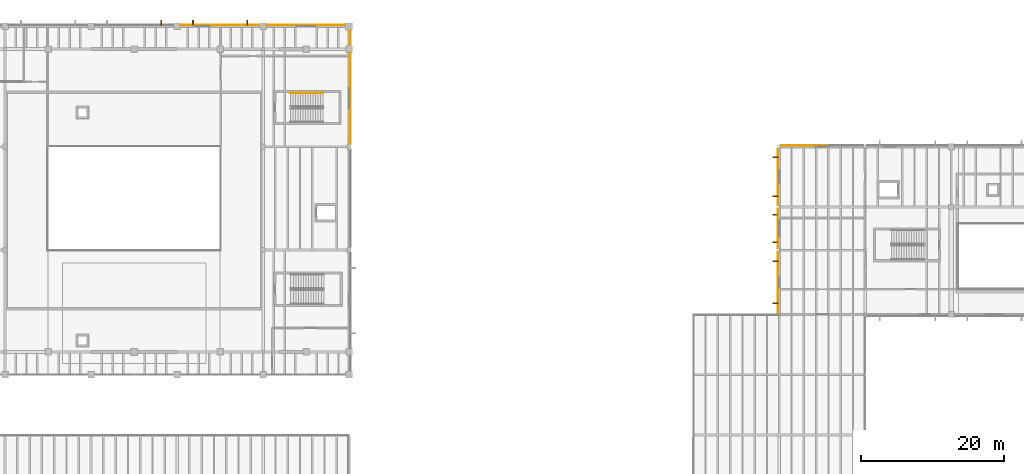
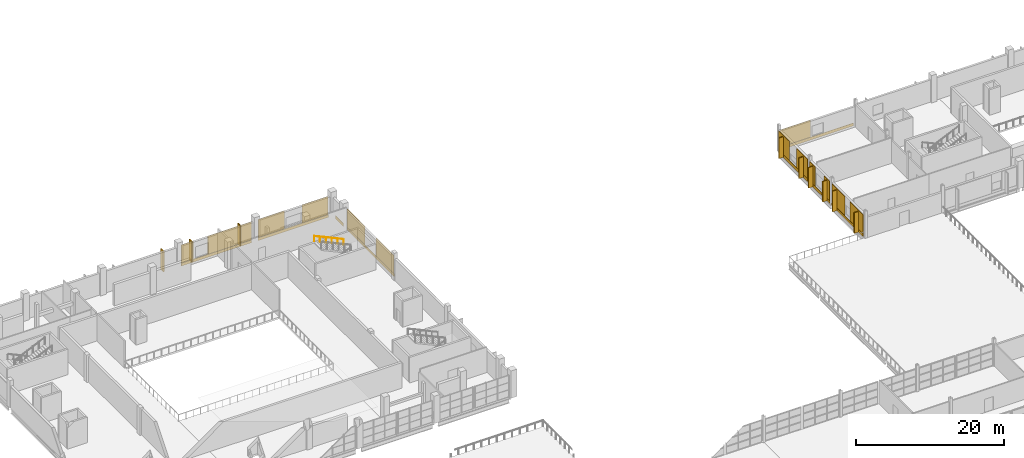
# One storey, part 73 of 78: 30 coverings, 9 shading devices, 1 railing.
"""IFC4 building model written with IfcOpenShell, lengths in metres."""

from ifc_helpers import new_model, si_unit, direction, frame, origin, origin_2d, place, context, subcontext, project, spatial, rectangle, circle, extrude, material, layer, layer_set, type_object, element, save


model = new_model("IFC4")

# Units and contexts
model_context = context("Model", 3, precision=1e-05, world=origin(), true_north=direction((0.0, 1.0)))
body_context = subcontext(model_context, "Body", "Model", "MODEL_VIEW")
ifc_project = project(units=[si_unit("LENGTHUNIT", "METRE"), si_unit("AREAUNIT", "SQUARE_METRE"), si_unit("VOLUMEUNIT", "CUBIC_METRE"), si_unit("PLANEANGLEUNIT", "RADIAN"), si_unit("MASSUNIT", "GRAM", prefix="KILO")], contexts=[model_context])

# Site, building, storey
site_placement = place(None, origin())
site = spatial("IfcSite", under=ifc_project, at=site_placement, CompositionType="ELEMENT")
building_placement = place(site_placement, origin())
building = spatial("IfcBuilding", under=site, at=building_placement, Name="Kelmvaro Bay Concert Hall", CompositionType="ELEMENT")
storey_placement = place(building_placement, frame((0.0, 0.0, 9.300048828125)))
storey = spatial("IfcBuildingStorey", under=building, at=storey_placement, Name="L02", CompositionType="ELEMENT", Elevation=9.300048828125)

# Shading devices
ifc_material_1 = material(Name="Anodised Extruded Aluminium 6063-T6", Category="aluminium")
ifc_layer_1 = layer(ifc_material_1, 3.39990234375)
ifc_layer_set_1 = layer_set([ifc_layer_1], Name="Anodised Extruded Aluminium 6063-T6")
shading_device_type = type_object("IfcShadingDeviceType", Name="Bauhaus Vertical Solar Brise-Soleil Fin 720x3400", PredefinedType="SHUTTER", material=ifc_layer_set_1)
for number, where, z_axis, x_axis, name in (
    (1, (33.77392578125, 114.52587890625, 0.06005859375), (0.0, 0.0, 1.0), (1.0, 0.0, 0.0), "L02 Solar Brise-Soleil Fin 016"),
    (2, (38.22607421875, 114.52587890625, 0.06005859375), (0.0, 0.0, 1.0), (1.0, 0.0, 0.0), "L02 Solar Brise-Soleil Fin 017"),
    (3, (45.77392578125, 114.52587890625, 0.06005859375), (0.0, 0.0, 1.0), (1.0, 0.0, 0.0), "L02 Solar Brise-Soleil Fin 018"),
    (4, (119.48388671875, 75.376220703125, 0.06005859375), (0.0, 0.0, 1.0), (0.0, 1.0, 0.0), "L02 Solar Brise-Soleil Fin 077"),
    (5, (119.48388671875, 81.226318359375, 0.06005859375), (0.0, 0.0, 1.0), (0.0, 1.0, 0.0), "L02 Solar Brise-Soleil Fin 078"),
    (6, (119.48388671875, 83.89404296875, 0.06005859375), (0.0, 0.0, 1.0), (0.0, 1.0, 0.0), "L02 Solar Brise-Soleil Fin 081"),
    (7, (119.48388671875, 87.7060546875, 0.06005859375), (0.0, 0.0, 1.0), (0.0, 1.0, 0.0), "L02 Solar Brise-Soleil Fin 082"),
    (8, (119.48388671875, 90.277587890625, 0.06005859375), (0.0, 0.0, 1.0), (0.0, 1.0, 0.0), "L02 Solar Brise-Soleil Fin 085"),
    (9, (119.48388671875, 95.719970703125, 0.06005859375), (0.0, 0.0, 1.0), (0.0, 1.0, 0.0), "L02 Solar Brise-Soleil Fin 086"),
):
    element("IfcShadingDevice", number, at=place(storey_placement, frame(where, z_axis=z_axis, x_axis=x_axis)), inside=storey, type_object=shading_device_type, Name=name, PredefinedType="SHUTTER", context=body_context, shape_type="SweptSolid", body=[
        extrude(rectangle(XDim=0.159912109375, YDim=0.719970703125, at=origin_2d()), origin(), (0.0, 0.0, 1.0), 3.39990234375),
    ])

# Coverings
ifc_material_2 = material(Name="PVDF-Coated Architectural Aluminium", Category="aluminium")
ifc_layer_2 = layer(ifc_material_2, 0.0400390625)
ifc_layer_set_2 = layer_set([ifc_layer_2], Name="PVDF-Coated Architectural Aluminium")
covering_type_1 = type_object("IfcCoveringType", Name="De Stijl Enamelled Aluminium Fascia Panel 40", PredefinedType="CLADDING", material=ifc_layer_set_2)
for number, where, z_axis, x_axis, name in (
    (10, (33.77392578125, 114.52587890625, 0.06005859375), (0.0, 0.0, 1.0), (1.0, 0.0, 0.0), "L02 Architectural Vertical Fin Cladding 0074"),
    (11, (38.22607421875, 114.52587890625, 0.06005859375), (0.0, 0.0, 1.0), (1.0, 0.0, 0.0), "L02 Architectural Vertical Fin Cladding 0076"),
    (12, (45.77392578125, 114.52587890625, 0.06005859375), (0.0, 0.0, 1.0), (1.0, 0.0, 0.0), "L02 Architectural Vertical Fin Cladding 0077"),
    (13, (119.48388671875, 75.376220703125, 0.06005859375), (0.0, 0.0, 1.0), (0.0, 1.0, 0.0), "L02 Architectural Vertical Fin Cladding 0397"),
    (14, (119.48388671875, 81.226318359375, 0.06005859375), (0.0, 0.0, 1.0), (0.0, 1.0, 0.0), "L02 Architectural Vertical Fin Cladding 0398"),
    (15, (119.48388671875, 83.89404296875, 0.06005859375), (0.0, 0.0, 1.0), (0.0, 1.0, 0.0), "L02 Architectural Vertical Fin Cladding 0407"),
    (16, (119.48388671875, 87.7060546875, 0.06005859375), (0.0, 0.0, 1.0), (0.0, 1.0, 0.0), "L02 Architectural Vertical Fin Cladding 0408"),
    (17, (119.48388671875, 90.277587890625, 0.06005859375), (0.0, 0.0, 1.0), (0.0, 1.0, 0.0), "L02 Architectural Vertical Fin Cladding 0417"),
    (18, (119.48388671875, 95.719970703125, 0.06005859375), (0.0, 0.0, 1.0), (0.0, 1.0, 0.0), "L02 Architectural Vertical Fin Cladding 0418"),
):
    element("IfcCovering", number, at=place(storey_placement, frame(where, z_axis=z_axis, x_axis=x_axis)), inside=storey, type_object=covering_type_1, Name=name, PredefinedType="CLADDING", context=body_context, shape_type="SweptSolid", body=[
        extrude(rectangle(XDim=0.139892578125, YDim=0.699951171875, at=origin_2d()), origin(), (0.0, 0.0, 1.0), 3.39990234375),
    ])
ifc_material_3 = material(Name="Honed Florida Limestone Travertine", Category="masonry")
ifc_layer_3 = layer(ifc_material_3, 0.054931640625)
ifc_layer_set_3 = layer_set([ifc_layer_3], Name="Honed Florida Limestone Travertine")
covering_type_2 = type_object("IfcCoveringType", Name="Honed Florida Travertine Rainscreen Cladding 55", PredefinedType="CLADDING", material=ifc_layer_set_3)
covering_1_placement = place(storey_placement, frame((42.0, 114.195556640625, 0.0400390625), z_axis=(0.0, 0.0, 1.0), x_axis=(1.0, 0.0, 0.0)))
element("IfcCovering", 19, at=covering_1_placement, inside=storey, type_object=covering_type_2, Name="L02 Travertine Sill Band 0075", PredefinedType="CLADDING", context=body_context, shape_type="SweptSolid", body=[
    extrude(rectangle(XDim=10.97998046875, YDim=0.054931640625, at=origin_2d()), origin(), (0.0, 0.0, 1.0), 0.4599609375),
])
covering_2_placement = place(storey_placement, frame((37.493896484375, 114.195556640625, 0.52001953125), z_axis=(0.0, 0.0, 1.0), x_axis=(1.0, 0.0, 0.0)))
element("IfcCovering", 20, at=covering_2_placement, inside=storey, type_object=covering_type_2, Name="L02 Travertine Pier Panel 0078", PredefinedType="CLADDING", context=body_context, shape_type="SweptSolid", body=[
    extrude(rectangle(XDim=1.927978515625, YDim=0.054931640625, at=origin_2d()), origin(), (0.0, 0.0, 1.0), 2.989013671875),
])
covering_3_placement = place(storey_placement, frame((44.06396484375, 114.195556640625, 0.52001953125), z_axis=(0.0, 0.0, 1.0), x_axis=(1.0, 0.0, 0.0)))
element("IfcCovering", 21, at=covering_3_placement, inside=storey, type_object=covering_type_2, Name="L02 Travertine Pier Panel 0079", PredefinedType="CLADDING", context=body_context, shape_type="SweptSolid", body=[
    extrude(rectangle(XDim=6.81201171875, YDim=0.054931640625, at=origin_2d()), origin(), (0.0, 0.0, 1.0), 2.989013671875),
])
covering_4_placement = place(storey_placement, frame((53.987548828125, 114.195556640625, 0.0400390625), z_axis=(0.0, 0.0, 1.0), x_axis=(1.0, 0.0, 0.0)))
element("IfcCovering", 22, at=covering_4_placement, inside=storey, type_object=covering_type_2, Name="L02 Travertine Sill Band 0080", PredefinedType="CLADDING", context=body_context, shape_type="SweptSolid", body=[
    extrude(rectangle(XDim=10.955078125, YDim=0.054931640625, at=origin_2d()), origin(), (0.0, 0.0, 1.0), 0.4599609375),
])
covering_5_placement = place(storey_placement, frame((50.558837890625, 114.195556640625, 0.52001953125), z_axis=(0.0, 0.0, 1.0), x_axis=(1.0, 0.0, 0.0)))
element("IfcCovering", 23, at=covering_5_placement, inside=storey, type_object=covering_type_2, Name="L02 Travertine Pier Panel 0081", PredefinedType="CLADDING", context=body_context, shape_type="SweptSolid", body=[
    extrude(rectangle(XDim=4.05810546875, YDim=0.054931640625, at=origin_2d()), origin(), (0.0, 0.0, 1.0), 2.989013671875),
])
covering_6_placement = place(storey_placement, frame((57.416259765625, 114.195556640625, 0.52001953125), z_axis=(0.0, 0.0, 1.0), x_axis=(1.0, 0.0, 0.0)))
element("IfcCovering", 24, at=covering_6_placement, inside=storey, type_object=covering_type_2, Name="L02 Travertine Pier Panel 0082", PredefinedType="CLADDING", context=body_context, shape_type="SweptSolid", body=[
    extrude(rectangle(XDim=4.056884765625, YDim=0.054931640625, at=origin_2d()), origin(), (0.0, 0.0, 1.0), 2.989013671875),
])
covering_7_placement = place(storey_placement, frame((60.195556640625, 112.3974609375, 0.0400390625), z_axis=(0.0, 0.0, 1.0), x_axis=(0.0, -1.0, 0.0)))
element("IfcCovering", 25, at=covering_7_placement, inside=storey, type_object=covering_type_2, Name="L02 Travertine Sill Band 0103", PredefinedType="CLADDING", context=body_context, shape_type="SweptSolid", body=[
    extrude(rectangle(XDim=2.135009765625, YDim=0.054931640625, at=origin_2d()), origin(), (0.0, 0.0, 1.0), 0.4599609375),
])
covering_8_placement = place(storey_placement, frame((60.195556640625, 103.972412109375, 0.0400390625), z_axis=(0.0, 0.0, 1.0), x_axis=(0.0, -1.0, 0.0)))
element("IfcCovering", 26, at=covering_8_placement, inside=storey, type_object=covering_type_2, Name="L02 Travertine Sill Band 0104", PredefinedType="CLADDING", context=body_context, shape_type="SweptSolid", body=[
    extrude(rectangle(XDim=12.675048828125, YDim=0.054931640625, at=origin_2d()), origin(), (0.0, 0.0, 1.0), 0.4599609375),
])
for number, where, z_axis, x_axis, name in (
    (27, (60.195556640625, 107.893798828125, 0.52001953125), (0.0, 0.0, 1.0), (0.0, -1.0, 0.0), "L02 Travertine Pier Panel 0105"),
    (28, (60.195556640625, 100.05126953125, 0.52001953125), (0.0, 0.0, 1.0), (0.0, -1.0, 0.0), "L02 Travertine Pier Panel 0106"),
):
    element("IfcCovering", number, at=place(storey_placement, frame(where, z_axis=z_axis, x_axis=x_axis)), inside=storey, type_object=covering_type_2, Name=name, PredefinedType="CLADDING", context=body_context, shape_type="SweptSolid", body=[
        extrude(rectangle(XDim=4.79296875, YDim=0.054931640625, at=origin_2d()), origin(), (0.0, 0.0, 1.0), 2.989013671875),
    ])
covering_9_placement = place(storey_placement, frame((126.0, 97.385498046875, 0.0400390625), z_axis=(0.0, 0.0, 1.0), x_axis=(1.0, 0.0, 0.0)))
element("IfcCovering", 29, at=covering_9_placement, inside=storey, type_object=covering_type_2, Name="L02 Travertine Sill Band 0380", PredefinedType="CLADDING", context=body_context, shape_type="SweptSolid", body=[
    extrude(rectangle(XDim=11.47900390625, YDim=0.054931640625, at=origin_2d()), origin(), (0.0, 0.0, 1.0), 0.4599609375),
])
covering_10_placement = place(storey_placement, frame((122.640380859375, 97.385498046875, 0.52001953125), z_axis=(0.0, 0.0, 1.0), x_axis=(1.0, 0.0, 0.0)))
element("IfcCovering", 30, at=covering_10_placement, inside=storey, type_object=covering_type_2, Name="L02 Travertine Pier Panel 0381", PredefinedType="CLADDING", context=body_context, shape_type="SweptSolid", body=[
    extrude(rectangle(XDim=4.719970703125, YDim=0.054931640625, at=origin_2d()), origin(), (0.0, 0.0, 1.0), 2.80810546875),
])
covering_11_placement = place(storey_placement, frame((119.814453125, 78.30126953125, 0.0400390625), z_axis=(0.0, 0.0, 1.0), x_axis=(0.0, 1.0, 0.0)))
element("IfcCovering", 31, at=covering_11_placement, inside=storey, type_object=covering_type_2, Name="L02 Travertine Sill Band 0396", PredefinedType="CLADDING", context=body_context, shape_type="SweptSolid", body=[
    extrude(rectangle(XDim=8.48388671875, YDim=0.054931640625, at=origin_2d()), origin(), (0.0, 0.0, 1.0), 0.4599609375),
])
for number, where, z_axis, x_axis, name in (
    (32, (119.814453125, 75.84033203125, 0.52001953125), (0.0, 0.0, 1.0), (0.0, 1.0, 0.0), "L02 Travertine Pier Panel 0399"),
    (33, (119.814453125, 80.76220703125, 0.52001953125), (0.0, 0.0, 1.0), (0.0, 1.0, 0.0), "L02 Travertine Pier Panel 0400"),
):
    element("IfcCovering", number, at=place(storey_placement, frame(where, z_axis=z_axis, x_axis=x_axis)), inside=storey, type_object=covering_type_2, Name=name, PredefinedType="CLADDING", context=body_context, shape_type="SweptSolid", body=[
        extrude(rectangle(XDim=3.52197265625, YDim=0.054931640625, at=origin_2d()), origin(), (0.0, 0.0, 1.0), 3.18408203125),
    ])
covering_12_placement = place(storey_placement, frame((119.814453125, 85.800048828125, 0.0400390625), z_axis=(0.0, 0.0, 1.0), x_axis=(0.0, 1.0, 0.0)))
element("IfcCovering", 34, at=covering_12_placement, inside=storey, type_object=covering_type_2, Name="L02 Travertine Sill Band 0406", PredefinedType="CLADDING", context=body_context, shape_type="SweptSolid", body=[
    extrude(rectangle(XDim=5.486083984375, YDim=0.054931640625, at=origin_2d()), origin(), (0.0, 0.0, 1.0), 0.4599609375),
])
for number, where, z_axis, x_axis, name in (
    (35, (119.814453125, 83.825927734375, 0.52001953125), (0.0, 0.0, 1.0), (0.0, 1.0, 0.0), "L02 Travertine Pier Panel 0409"),
    (36, (119.814453125, 87.77392578125, 0.52001953125), (0.0, 0.0, 1.0), (0.0, 1.0, 0.0), "L02 Travertine Pier Panel 0410"),
):
    element("IfcCovering", number, at=place(storey_placement, frame(where, z_axis=z_axis, x_axis=x_axis)), inside=storey, type_object=covering_type_2, Name=name, PredefinedType="CLADDING", context=body_context, shape_type="SweptSolid", body=[
        extrude(rectangle(XDim=1.498046875, YDim=0.054931640625, at=origin_2d()), origin(), (0.0, 0.0, 1.0), 3.18408203125),
    ])
covering_13_placement = place(storey_placement, frame((119.814453125, 92.998779296875, 0.0400390625), z_axis=(0.0, 0.0, 1.0), x_axis=(0.0, 1.0, 0.0)))
element("IfcCovering", 37, at=covering_13_placement, inside=storey, type_object=covering_type_2, Name="L02 Travertine Sill Band 0416", PredefinedType="CLADDING", context=body_context, shape_type="SweptSolid", body=[
    extrude(rectangle(XDim=7.884033203125, YDim=0.054931640625, at=origin_2d()), origin(), (0.0, 0.0, 1.0), 0.4599609375),
])
for number, where, z_axis, x_axis, name in (
    (38, (119.814453125, 90.537841796875, 0.52001953125), (0.0, 0.0, 1.0), (0.0, 1.0, 0.0), "L02 Travertine Pier Panel 0419"),
    (39, (119.814453125, 95.459716796875, 0.52001953125), (0.0, 0.0, 1.0), (0.0, 1.0, 0.0), "L02 Travertine Pier Panel 0420"),
):
    element("IfcCovering", number, at=place(storey_placement, frame(where, z_axis=z_axis, x_axis=x_axis)), inside=storey, type_object=covering_type_2, Name=name, PredefinedType="CLADDING", context=body_context, shape_type="SweptSolid", body=[
        extrude(rectangle(XDim=2.922119140625, YDim=0.054931640625, at=origin_2d()), origin(), (0.0, 0.0, 1.0), 3.18408203125),
    ])

# Railing
ifc_material_4 = material(Name="Brushed Stainless Steel 316", Category="steel")
railing_type = type_object("IfcRailingType", Name="Stair Stainless Wall Handrail 900", PredefinedType="HANDRAIL", material=ifc_material_4)
railing_placement = place(storey_placement, frame((56.35009765625, 104.699951171875, 2.41064453125)))
element("IfcRailing", 40, at=railing_placement, inside=storey, type_object=railing_type, Name="L02 ST-02 stair handrail 2", PredefinedType="HANDRAIL", context=body_context, shape_type="SweptSolid", body=[
    extrude(circle(Radius=0.02392578125, at=origin_2d()), frame((0.0, 0.0, 0.8759765625), z_axis=(-0.908768316152, 0.0, 0.417301027506), x_axis=(0.0, -1.0, 0.0)), (0.0, 0.0, 1.0), 5.0068359375),
    extrude(circle(Radius=0.02099609375, at=origin_2d()), origin(), (0.0, 0.0, 1.0), 0.851806640625),
    extrude(circle(Radius=0.02099609375, at=origin_2d()), frame((-0.909912109375, 0.0, 0.41796875)), (0.0, 0.0, 1.0), 0.851806640625),
    extrude(circle(Radius=0.02099609375, at=origin_2d()), frame((-1.820068359375, 0.0, 0.835693359375)), (0.0, 0.0, 1.0), 0.851806640625),
    extrude(circle(Radius=0.02099609375, at=origin_2d()), frame((-2.72998046875, 0.0, 1.253662109375)), (0.0, 0.0, 1.0), 0.851806640625),
    extrude(circle(Radius=0.02099609375, at=origin_2d()), frame((-3.64013671875, 0.0, 1.67138671875)), (0.0, 0.0, 1.0), 0.851806640625),
    extrude(circle(Radius=0.02099609375, at=origin_2d()), frame((-4.550048828125, 0.0, 2.08935546875)), (0.0, 0.0, 1.0), 0.851806640625),
])

save(model, "model.ifc")
